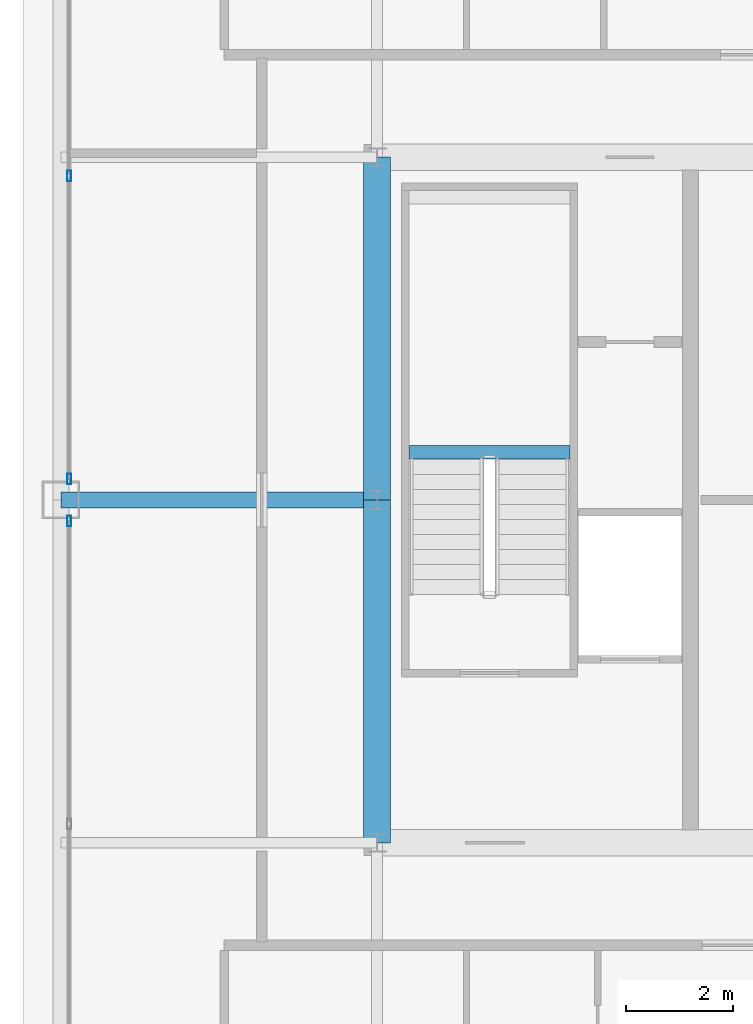
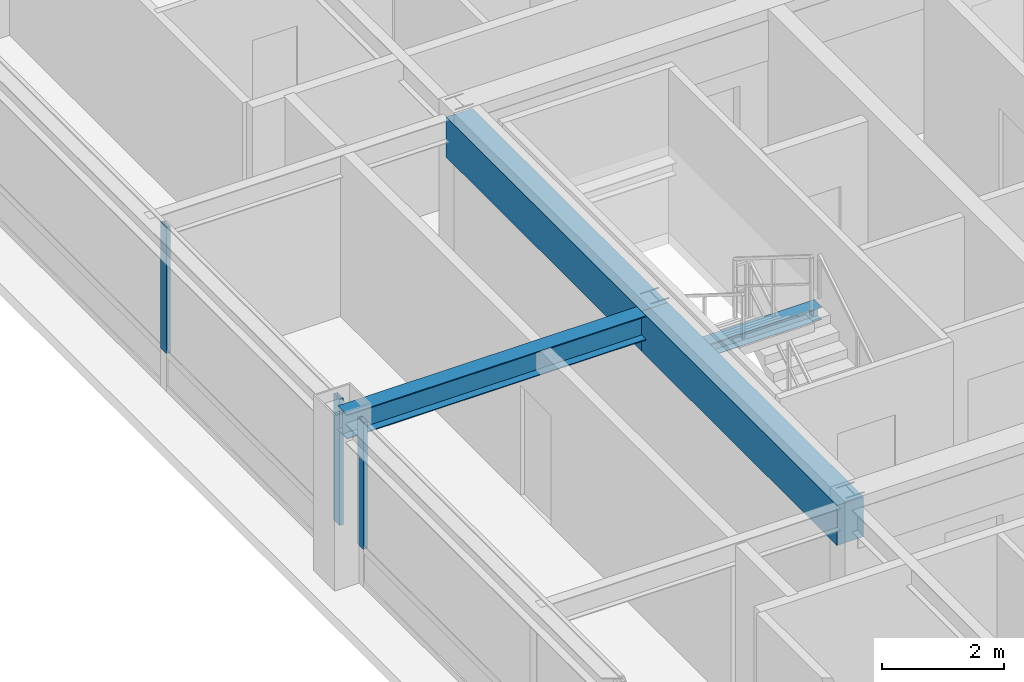
# One storey, part 11 of 35: 4 beams, 3 members, 2 elements without a shape of their own.
"""IFC4 building model written with IfcOpenShell, lengths in metres."""

from ifc_helpers import new_model, si_unit, direction, frame, origin, origin_2d, place, context, subcontext, project, spatial, rectangle, hollow_rectangle, i_section, extrude, source, transform, mapped, material, layer, layer_set, material_profile, profile_set, type_object, element, aggregate, save


model = new_model("IFC4")

# Units and contexts
model_context = context("Model", 3, precision=1e-05, world=origin(), true_north=direction((0.0, 1.0)))
body_context = subcontext(model_context, "Body", "Model", "MODEL_VIEW")
ifc_project = project(units=[si_unit("LENGTHUNIT", "METRE"), si_unit("AREAUNIT", "SQUARE_METRE"), si_unit("VOLUMEUNIT", "CUBIC_METRE"), si_unit("PLANEANGLEUNIT", "RADIAN"), si_unit("MASSUNIT", "GRAM", prefix="KILO"), si_unit("THERMODYNAMICTEMPERATUREUNIT", "KELVIN"), si_unit("POWERUNIT", "WATT")], contexts=[model_context])

# Site, building, storey
site_placement = place(None, origin())
site = spatial("IfcSite", under=ifc_project, at=site_placement, CompositionType="ELEMENT")
building_placement = place(site_placement, origin())
building = spatial("IfcBuilding", under=site, at=building_placement, Name="Yuzanri Waterfront Tower", CompositionType="ELEMENT")
storey_placement = place(building_placement, frame((0.0, 0.0, 296.10009765625)))
storey = spatial("IfcBuildingStorey", under=building, at=storey_placement, Name="L79", CompositionType="ELEMENT", Elevation=296.10009765625)

# Beams
ifc_material_1 = material(Name="Concrete C50", Category="concrete")
ifc_material_profile_1 = material_profile(ifc_material_1, rectangle(XDim=0.5, YDim=0.800048828125, at=origin_2d()), Name="RC 500x800")
ifc_profile_set_1 = profile_set([ifc_material_profile_1], Name="Concrete C50")
beam_type_1 = type_object("IfcBeamType", Name="Core Coupling Lintel Concrete C50 500x800", PredefinedType="LINTEL", material=ifc_profile_set_1)
shared_shape_1 = source(origin(), body_context, "Body", "SweptSolid", [
    extrude(rectangle(XDim=0.5, YDim=0.800048828125, at=origin_2d()), origin(), (0.0, 0.0, 1.0), 6.400146484375),
])
beam_1_placement = place(storey_placement, frame((23.800048828125, 19.39990234375, 2.8798828125), z_axis=(0.0, 1.0, 0.0), x_axis=(-1.0, 0.0, 0.0)))
element("IfcBeam", 1, at=beam_1_placement, inside=storey, type_object=beam_type_1, Name="L79 Core Tie Beam CW1", PredefinedType="LINTEL", context=body_context, shape_type="MappedRepresentation", body=[
    mapped(shared_shape_1, transform((0.0, 0.0, 0.0), scale=1.0)),
])
shared_shape_2 = source(origin(), body_context, "Body", "SweptSolid", [
    extrude(rectangle(XDim=0.5, YDim=0.800048828125, at=origin_2d()), origin(), (0.0, 0.0, 1.0), 6.39990234375),
])
beam_2_placement = place(storey_placement, frame((23.800048828125, 25.800048828125, 2.8798828125), z_axis=(0.0, 1.0, 0.0), x_axis=(-1.0, 0.0, 0.0)))
element("IfcBeam", 2, at=beam_2_placement, inside=storey, type_object=beam_type_1, Name="L79 Core Tie Beam CW2", PredefinedType="LINTEL", context=body_context, shape_type="MappedRepresentation", body=[
    mapped(shared_shape_2, transform((0.0, 0.0, 0.0), scale=1.0)),
])
ifc_material_2 = material(Name="Steel Q355B", Category="steel")
ifc_material_profile_2 = material_profile(ifc_material_2, i_section(OverallWidth=0.300048828125, OverallDepth=0.488037109375, WebThickness=0.010986328125, FlangeThickness=0.01806640625, at=origin_2d()), Name="HM 488x300x11x18")
ifc_profile_set_2 = profile_set([ifc_material_profile_2], Name="Steel Q355B")
beam_type_2 = type_object("IfcBeamType", Name="Primary Floor Girder Q355B HM 488x300", PredefinedType="BEAM", material=ifc_profile_set_2)
shared_shape_3 = source(origin(), body_context, "Body", "SweptSolid", [
    extrude(i_section(OverallWidth=0.300048828125, OverallDepth=0.488037109375, WebThickness=0.010986328125, FlangeThickness=0.01806640625, at=origin_2d()), origin(), (0.0, 0.0, 1.0), 5.900146484375),
])
beam_3_placement = place(storey_placement, frame((23.800048828125, 25.800048828125, 3.035888671875), z_axis=(-1.0, 0.0, 0.0), x_axis=(0.0, -1.0, 0.0)))
element("IfcBeam", 3, at=beam_3_placement, inside=storey, type_object=beam_type_2, Name="L79 West Grid Girder", PredefinedType="BEAM", context=body_context, shape_type="MappedRepresentation", body=[
    mapped(shared_shape_3, transform((0.0, 0.0, 0.0), scale=1.0)),
])

# Curtain wall, member
ifc_material_3 = material(Name="Anodized Architectural Bronze", Category="metal")
ifc_layer = layer(ifc_material_3, 0.159912109375)
ifc_layer_set = layer_set([ifc_layer], Name="Anodized Architectural Bronze")
curtain_wall_type = type_object("IfcCurtainWallType", Name="Anodized Bronze High-Rise Penthouse High-Wind Unitized Curtain Wall 6900", PredefinedType="NOTDEFINED", material=ifc_layer_set)
curtain_wall_1_placement = place(storey_placement, origin())
curtain_wall_1 = element("IfcCurtainWall", 4, at=curtain_wall_1_placement, inside=storey, type_object=curtain_wall_type, Name="L79 Curtain Wall CW-L79-WL", PredefinedType="NOTDEFINED")
ifc_material_4 = material(Name="Anodized Architectural Bronze", Category="metal")
ifc_material_profile_3 = material_profile(ifc_material_4, hollow_rectangle(XDim=0.074951171875, YDim=0.199951171875, WallThickness=0.00390625, at=origin_2d()), Name="CWM 75x200")
ifc_profile_set_3 = profile_set([ifc_material_profile_3], Name="Anodized Architectural Bronze")
member_type = type_object("IfcMemberType", Name="Anodized Bronze Primary Curtain-Wall Mullion 75x200", PredefinedType="MULLION", material=ifc_profile_set_3)
shared_shape_4 = source(origin(), body_context, "Body", "SweptSolid", [
    extrude(hollow_rectangle(XDim=0.074951171875, YDim=0.199951171875, WallThickness=0.00390625, at=origin_2d()), origin(), (0.0, 0.0, 1.0), 2.52392578125),
])
member_1_placement = place(storey_placement, frame((18.050048828125, 25.409912109375, 0.755859375), z_axis=(0.0, 0.0, 1.0), x_axis=(1.0, 0.0, 0.0)))
member_1 = element("IfcMember", 5, at=member_1_placement, type_object=member_type, Name="CW-L79-WL Upper Mullion 02", PredefinedType="MULLION", context=body_context, shape_type="MappedRepresentation", body=[
    mapped(shared_shape_4, transform((0.0, 0.0, 0.0), scale=1.0)),
])
aggregate(curtain_wall_1, [member_1])

# Curtain wall, members
curtain_wall_2_placement = place(storey_placement, origin())
curtain_wall_2 = element("IfcCurtainWall", 6, at=curtain_wall_2_placement, inside=storey, type_object=curtain_wall_type, Name="L79 Curtain Wall CW-L79-WR", PredefinedType="NOTDEFINED")
member_2_placement = place(storey_placement, frame((18.050048828125, 26.18994140625, 0.755859375), z_axis=(0.0, 0.0, 1.0), x_axis=(1.0, 0.0, 0.0)))
member_2 = element("IfcMember", 7, at=member_2_placement, type_object=member_type, Name="CW-L79-WR Upper Mullion 00", PredefinedType="MULLION", context=body_context, shape_type="MappedRepresentation", body=[
    mapped(shared_shape_4, transform((0.0, 0.0, 0.0), scale=1.0)),
])
member_3_placement = place(storey_placement, frame((18.050048828125, 31.85009765625, 0.755859375), z_axis=(0.0, 0.0, 1.0), x_axis=(1.0, 0.0, 0.0)))
member_3 = element("IfcMember", 8, at=member_3_placement, type_object=member_type, Name="CW-L79-WR Upper Mullion 01", PredefinedType="MULLION", context=body_context, shape_type="MappedRepresentation", body=[
    mapped(shared_shape_4, transform((0.0, 0.0, 0.0), scale=1.0)),
])
aggregate(curtain_wall_2, [member_2, member_3])

# Beam
ifc_material_5 = material(Name="Steel Q355B", Category="steel")
ifc_material_profile_4 = material_profile(ifc_material_5, i_section(OverallWidth=0.25, OverallDepth=0.25, WebThickness=0.009033203125, FlangeThickness=0.013916015625, at=origin_2d()), Name="HW 250x250x9x14")
ifc_profile_set_4 = profile_set([ifc_material_profile_4], Name="Steel Q355B")
beam_type_3 = type_object("IfcBeamType", Name="Stair Landing Support Beam Q355B HW 250x250", PredefinedType="BEAM", material=ifc_profile_set_4)
shared_shape_5 = source(origin(), body_context, "Body", "SweptSolid", [
    extrude(i_section(OverallWidth=0.25, OverallDepth=0.25, WebThickness=0.009033203125, FlangeThickness=0.013916015625, at=origin_2d()), origin(), (0.0, 0.0, 1.0), 3.0),
])
beam_4_placement = place(storey_placement, frame((24.39990234375, 26.68994140625, 1.4248046875), z_axis=(1.0, 0.0, 0.0), x_axis=(0.0, 1.0, 0.0)))
element("IfcBeam", 9, at=beam_4_placement, inside=storey, type_object=beam_type_3, Name="L79 Stair Landing Support Beam ST-01-L79-L1-1", PredefinedType="BEAM", context=body_context, shape_type="MappedRepresentation", body=[
    mapped(shared_shape_5, transform((0.0, 0.0, 0.0), scale=1.0)),
])

save(model, "model.ifc")
